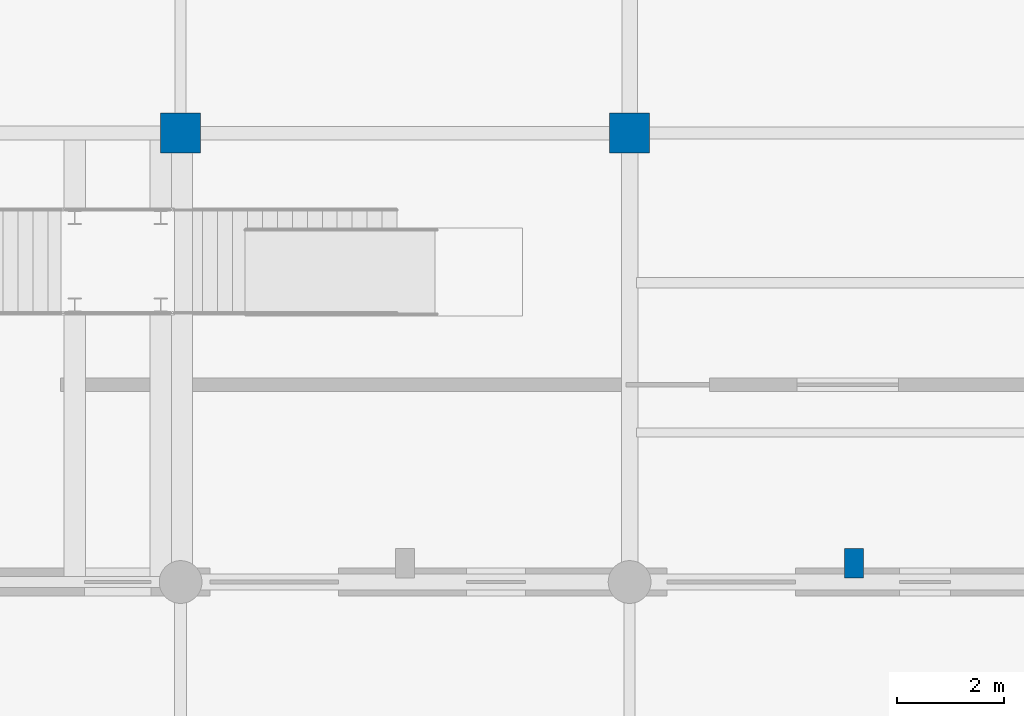
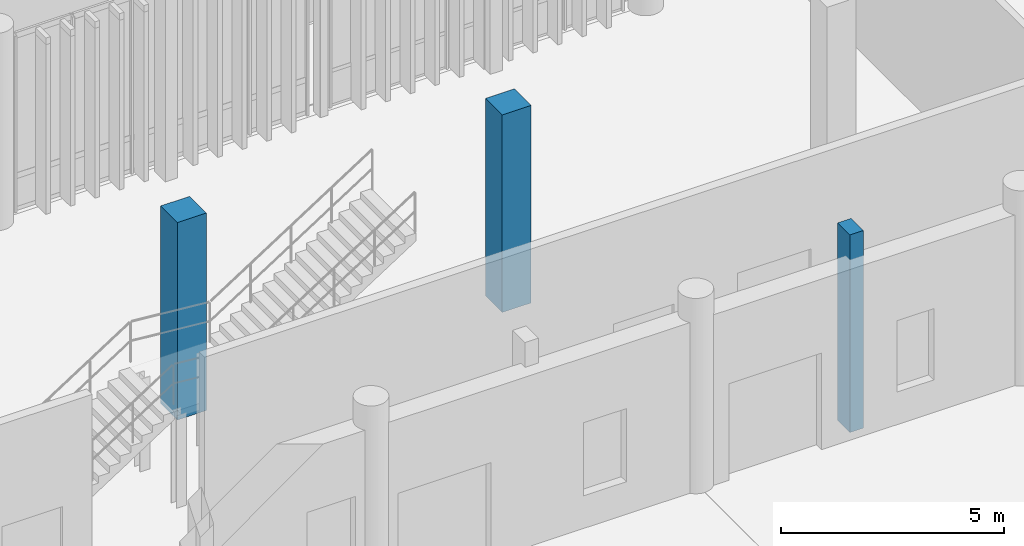
# One storey, part 3 of 112: 3 columns.
"""IFC4 building model written with IfcOpenShell, lengths in metres."""

from ifc_helpers import new_model, si_unit, direction, frame, origin_with_axes, origin_2d_with_axis, place, context, subcontext, project, spatial, rectangle, extrude, material, material_profile, profile_set, type_object, element, save


model = new_model("IFC4")

# Units and contexts
model_context = context("Model", 3, precision=1e-05, world=origin_with_axes(), true_north=direction((0.0, 1.0)))
body_context = subcontext(model_context, "Body", "Model", "MODEL_VIEW")
ifc_project = project(units=[si_unit("LENGTHUNIT", "METRE"), si_unit("AREAUNIT", "SQUARE_METRE"), si_unit("VOLUMEUNIT", "CUBIC_METRE"), si_unit("PLANEANGLEUNIT", "RADIAN"), si_unit("MASSUNIT", "GRAM", prefix="KILO"), si_unit("THERMODYNAMICTEMPERATUREUNIT", "KELVIN")], contexts=[model_context])

# Site, building, storey
site_placement = place(None, origin_with_axes())
site = spatial("IfcSite", under=ifc_project, at=site_placement, CompositionType="ELEMENT")
building_placement = place(site_placement, origin_with_axes())
building = spatial("IfcBuilding", under=site, at=building_placement, Name="Montbau Bow Law Courts", CompositionType="ELEMENT")
storey_placement = place(building_placement, origin_with_axes())
storey = spatial("IfcBuildingStorey", under=building, at=storey_placement, Name="L00", CompositionType="ELEMENT", Elevation=0.0)

# Columns
ifc_material = material(Name="Concrete CSA A23.1 f'c 40 MPa", Category="concrete")
ifc_material_profile_1 = material_profile(ifc_material, rectangle(XDim=0.35, YDim=0.55, at=origin_2d_with_axis()), Name="RC550X350", Category="Main", Priority=0)
ifc_profile_set_1 = profile_set([ifc_material_profile_1], Name="Concrete CSA A23.1 f'c 40 MPa")
column_type_1 = type_object("IfcColumnType", Name="C-PIL-01", PredefinedType="PILASTER", material=ifc_profile_set_1)
column_placement = place(None, frame((67.8, 22.55, 0.0), z_axis=(0.0, 0.0, 1.0), x_axis=(1.0, 0.0, 0.0)))
element("IfcColumn", 1, at=column_placement, inside=storey, type_object=column_type_1, Name="PL-L00-S03:pil2_0008", PredefinedType="PILASTER", context=body_context, shape_type="SweptSolid", body=[
    extrude(rectangle(XDim=0.35, YDim=0.55, at=origin_2d_with_axis()), origin_with_axes(), (0.0, 0.0, 1.0), 5.4),
])
ifc_material_profile_2 = material_profile(ifc_material, rectangle(XDim=0.75, YDim=0.75, at=origin_2d_with_axis()), Name="RC750X750", Category="Main", Priority=0)
ifc_profile_set_2 = profile_set([ifc_material_profile_2], Name="Concrete CSA A23.1 f'c 40 MPa")
column_type_2 = type_object("IfcColumnType", Name="C-RC-03", PredefinedType="COLUMN", material=ifc_profile_set_2)
for number, where, z_axis, x_axis, name in (
    (2, (55.2, 30.6, 0.0), (0.0, 0.0, 1.0), (1.0, 0.0, 0.0), "C-L00-S0227:col2_0227"),
    (3, (63.6, 30.6, 0.0), (0.0, 0.0, 1.0), (1.0, 0.0, 0.0), "C-L00-S0233:col2_0233"),
):
    element("IfcColumn", number, at=place(None, frame(where, z_axis=z_axis, x_axis=x_axis)), inside=storey, type_object=column_type_2, Name=name, PredefinedType="COLUMN", context=body_context, shape_type="SweptSolid", body=[
        extrude(rectangle(XDim=0.75, YDim=0.75, at=origin_2d_with_axis()), origin_with_axes(), (0.0, 0.0, 1.0), 5.4),
    ])

save(model, "model.ifc")
